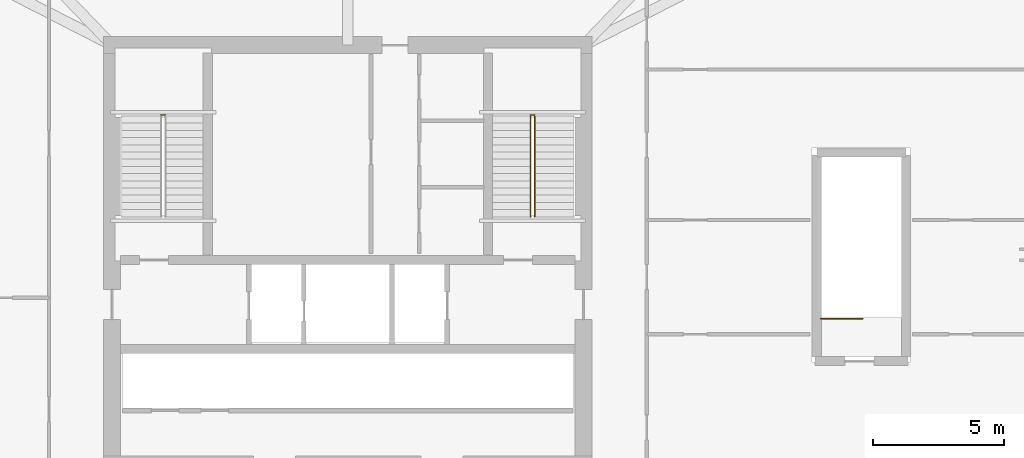
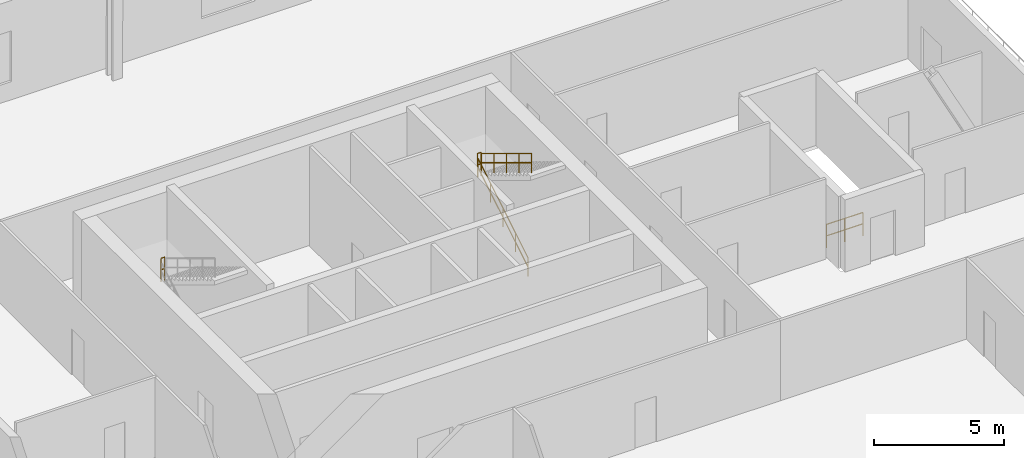
# One storey, part 7 of 7: 5 railings.
"""IFC4 building model written with IfcOpenShell, lengths in metres."""

from ifc_helpers import new_model, si_unit, direction, frame, origin, origin_2d, place, context, subcontext, project, spatial, circle, extrude, material, type_object, element, save


model = new_model("IFC4")

# Units and contexts
model_context = context("Model", 3, precision=1e-05, world=origin(), true_north=direction((0.0, 1.0)))
body_context = subcontext(model_context, "Body", "Model", "MODEL_VIEW")
ifc_project = project(units=[si_unit("LENGTHUNIT", "METRE"), si_unit("AREAUNIT", "SQUARE_METRE"), si_unit("VOLUMEUNIT", "CUBIC_METRE"), si_unit("PLANEANGLEUNIT", "RADIAN"), si_unit("MASSUNIT", "GRAM", prefix="KILO")], contexts=[model_context])

# Site, building, storey
site_placement = place(None, origin())
site = spatial("IfcSite", under=ifc_project, at=site_placement, CompositionType="ELEMENT")
building_placement = place(site_placement, origin())
building = spatial("IfcBuilding", under=site, at=building_placement, Name="Caelvoria Tower", CompositionType="ELEMENT")
storey_placement = place(building_placement, frame((0.0, 0.0, 23.0)))
storey = spatial("IfcBuildingStorey", under=building, at=storey_placement, Name="L05", CompositionType="ELEMENT", Elevation=23.0)

# Railings
ifc_material_1 = material(Name="Brushed Stainless Steel Tube", Category="steel")
railing_type_1 = type_object("IfcRailingType", Name="Stair Tubular Stainless Handrail 920", PredefinedType="HANDRAIL", material=ifc_material_1)
railing_1_placement = place(storey_placement, frame((52.969970703125, 33.449951171875, 0.166748046875)))
element("IfcRailing", 1, at=railing_1_placement, inside=storey, type_object=railing_type_1, Name="ST-02 Flight 1 Handrail L05", PredefinedType="HANDRAIL", context=body_context, shape_type="SweptSolid", body=[
    extrude(circle(Radius=0.02392578125, at=origin_2d()), frame((0.0, 0.0, 0.89599609375), z_axis=(0.0, 0.855211671081, 0.518278880185), x_axis=(-1.0, 0.0, 0.0)), (0.0, 0.0, 1.0), 4.501953125),
    extrude(circle(Radius=0.02392578125, at=origin_2d()), frame((0.0, 0.0, 0.4599609375), z_axis=(0.0, 0.855211671081, 0.518278880185), x_axis=(-1.0, 0.0, 0.0)), (0.0, 0.0, 1.0), 4.501953125),
    extrude(circle(Radius=0.02099609375, at=origin_2d()), origin(), (0.0, 0.0, 1.0), 0.871826171875),
    extrude(circle(Radius=0.02099609375, at=origin_2d()), frame((0.0, 0.96240234375, 0.583251953125)), (0.0, 0.0, 1.0), 0.871826171875),
    extrude(circle(Radius=0.02099609375, at=origin_2d()), frame((0.0, 1.925048828125, 1.16650390625)), (0.0, 0.0, 1.0), 0.871826171875),
    extrude(circle(Radius=0.02099609375, at=origin_2d()), frame((0.0, 2.8876953125, 1.75)), (0.0, 0.0, 1.0), 0.871826171875),
    extrude(circle(Radius=0.02099609375, at=origin_2d()), frame((0.0, 3.85009765625, 2.333251953125)), (0.0, 0.0, 1.0), 0.871826171875),
])
railing_2_placement = place(storey_placement, frame((53.1298828125, 37.300048828125, 2.666748046875)))
element("IfcRailing", 2, at=railing_2_placement, inside=storey, type_object=railing_type_1, Name="ST-02 Flight 2 Handrail L05", PredefinedType="HANDRAIL", context=body_context, shape_type="SweptSolid", body=[
    extrude(circle(Radius=0.02392578125, at=origin_2d()), frame((0.0, 0.0, 0.89599609375), z_axis=(0.0, -0.855211671081, 0.518278880185), x_axis=(1.0, 0.0, 0.0)), (0.0, 0.0, 1.0), 4.501953125),
    extrude(circle(Radius=0.02392578125, at=origin_2d()), frame((0.0, 0.0, 0.4599609375), z_axis=(0.0, -0.855211671081, 0.518278880185), x_axis=(1.0, 0.0, 0.0)), (0.0, 0.0, 1.0), 4.501953125),
    extrude(circle(Radius=0.02099609375, at=origin_2d()), origin(), (0.0, 0.0, 1.0), 0.871826171875),
    extrude(circle(Radius=0.02099609375, at=origin_2d()), frame((0.0, -0.96240234375, 0.583251953125)), (0.0, 0.0, 1.0), 0.871826171875),
    extrude(circle(Radius=0.02099609375, at=origin_2d()), frame((0.0, -1.925048828125, 1.16650390625)), (0.0, 0.0, 1.0), 0.871826171875),
    extrude(circle(Radius=0.02099609375, at=origin_2d()), frame((0.0, -2.8876953125, 1.75)), (0.0, 0.0, 1.0), 0.871826171875),
    extrude(circle(Radius=0.02099609375, at=origin_2d()), frame((0.0, -3.85009765625, 2.333251953125)), (0.0, 0.0, 1.0), 0.871826171875),
])
ifc_material_2 = material(Name="Brushed Stainless Steel Guardrail", Category="steel")
railing_type_2 = type_object("IfcRailingType", Name="Stair Well and Ramp Guardrail 1120", PredefinedType="GUARDRAIL", material=ifc_material_2)
for number, where, name in (
    (3, (38.8701171875, 37.340087890625, 2.5), "ST-01 Half-Landing Well Guard L05"),
    (4, (52.969970703125, 37.340087890625, 2.5), "ST-02 Half-Landing Well Guard L05"),
):
    element("IfcRailing", number, at=place(storey_placement, frame(where)), inside=storey, type_object=railing_type_2, Name=name, PredefinedType="GUARDRAIL", context=body_context, shape_type="SweptSolid", body=[
        extrude(circle(Radius=0.02392578125, at=origin_2d()), frame((0.0, 0.0, 1.09619140625), z_axis=(1.0, 0.0, 0.0), x_axis=(0.0, 1.0, 0.0)), (0.0, 0.0, 1.0), 0.159912109375),
        extrude(circle(Radius=0.02392578125, at=origin_2d()), frame((0.0, 0.0, 0.56005859375), z_axis=(1.0, 0.0, 0.0), x_axis=(0.0, 1.0, 0.0)), (0.0, 0.0, 1.0), 0.159912109375),
        extrude(circle(Radius=0.02099609375, at=origin_2d()), origin(), (0.0, 0.0, 1.0), 1.072021484375),
        extrude(circle(Radius=0.02099609375, at=origin_2d()), frame((0.159912109375, 0.0, 0.0)), (0.0, 0.0, 1.0), 1.072021484375),
    ])
railing_3_placement = place(storey_placement, frame((64.0400390625, 29.56005859375, 0.0)))
element("IfcRailing", 5, at=railing_3_placement, inside=storey, type_object=railing_type_2, Name="Podium Top Stair Well Guard L05 ST4", PredefinedType="GUARDRAIL", context=body_context, shape_type="SweptSolid", body=[
    extrude(circle(Radius=0.02392578125, at=origin_2d()), frame((0.0, 0.0, 1.09619140625), z_axis=(1.0, 0.0, 0.0), x_axis=(0.0, 1.0, 0.0)), (0.0, 0.0, 1.0), 1.619873046875),
    extrude(circle(Radius=0.02392578125, at=origin_2d()), frame((0.0, 0.0, 0.56005859375), z_axis=(1.0, 0.0, 0.0), x_axis=(0.0, 1.0, 0.0)), (0.0, 0.0, 1.0), 1.619873046875),
    extrude(circle(Radius=0.02099609375, at=origin_2d()), origin(), (0.0, 0.0, 1.0), 1.072021484375),
    extrude(circle(Radius=0.02099609375, at=origin_2d()), frame((0.81005859375, 0.0, 0.0)), (0.0, 0.0, 1.0), 1.072021484375),
    extrude(circle(Radius=0.02099609375, at=origin_2d()), frame((1.619873046875, 0.0, 0.0)), (0.0, 0.0, 1.0), 1.072021484375),
])

save(model, "model.ifc")
